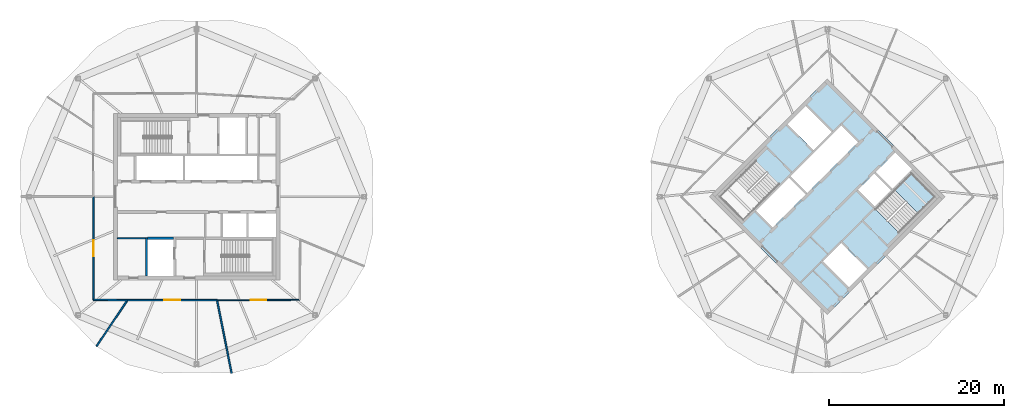
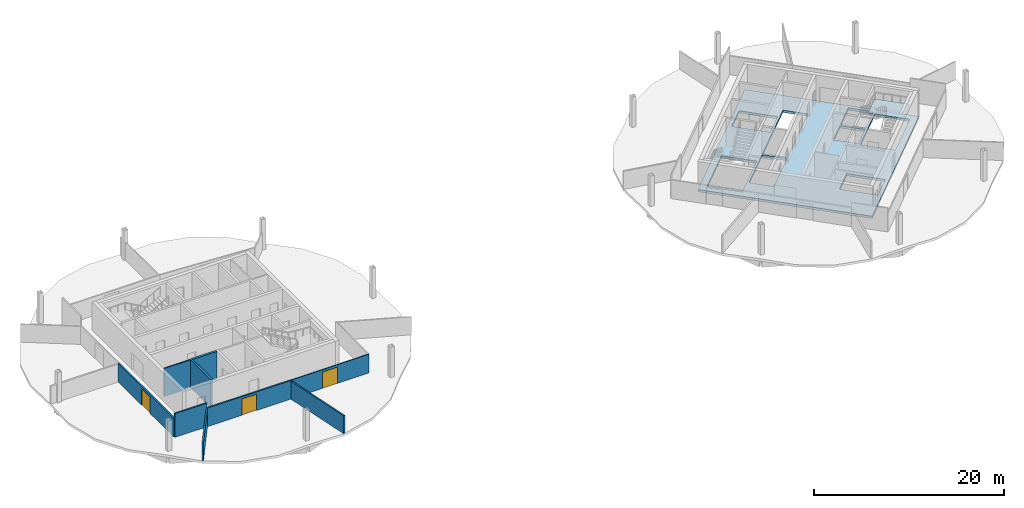
# One storey, part 4 of 10: 9 walls, 3 doors, 2 slabs, 3 openings, 1 element without a shape of its own.
"""IFC4 building model written with IfcOpenShell, lengths in metres."""

from ifc_helpers import new_model, si_unit, direction, frame, frame_2d, origin, place, context, subcontext, project, spatial, polyline, rectangle, outline, extrude, material, layer, layer_set, type_object, element, fill, aggregate, save


model = new_model("IFC4")

# Units and contexts
model_context = context("Model", 3, precision=1e-05, world=origin(), true_north=direction((0.0, 1.0)))
body_context = subcontext(model_context, "Body", "Model", "MODEL_VIEW")
ifc_project = project(units=[si_unit("LENGTHUNIT", "METRE"), si_unit("AREAUNIT", "SQUARE_METRE"), si_unit("VOLUMEUNIT", "CUBIC_METRE"), si_unit("PLANEANGLEUNIT", "RADIAN"), si_unit("MASSUNIT", "GRAM", prefix="KILO")], contexts=[model_context])

# Site, building, storey
site_placement = place(None, origin())
site = spatial("IfcSite", under=ifc_project, at=site_placement, CompositionType="ELEMENT")
building_placement = place(site_placement, origin())
building = spatial("IfcBuilding", under=site, at=building_placement, Name="Ogive Gate Towers", CompositionType="ELEMENT")
storey_placement = place(building_placement, frame((0.0, 0.0, 232.800048828125)))
storey = spatial("IfcBuildingStorey", under=building, at=storey_placement, Name="L55", CompositionType="ELEMENT", Elevation=232.800048828125)

# Slab
ifc_material_1 = material(Name="Concrete C40/50", Category="concrete")
ifc_layer_1 = layer(ifc_material_1, 0.300048828125)
ifc_layer_set_1 = layer_set([ifc_layer_1], Name="Core slab C40/50 300 mm")
slab_type_1 = type_object("IfcSlabType", Name="Core slab C40/50 300 mm", PredefinedType="FLOOR", material=ifc_layer_set_1)
slab_1_placement = place(storey_placement, frame((0.0, 0.0, -0.300048828125)))
element("IfcSlab", 1, at=slab_1_placement, inside=storey, type_object=slab_type_1, Name="T2 L55 core slab", PredefinedType="FLOOR", context=body_context, shape_type="SweptSolid", body=[
    extrude(outline(polyline([(36.0, -13.43505859375), (22.56494140625, 0.0), (36.0, 13.43505859375), (49.43505859375, 0.0), (36.0, -13.43505859375)]), holes=[polyline([(29.777587890625, -3.500244140625), (33.525146484375, 0.24755859375), (31.615966796875, 2.15673828125), (27.868408203125, -1.591064453125), (29.777587890625, -3.500244140625)]), polyline([(31.792724609375, 2.33349609375), (33.701904296875, 0.42431640625), (39.500244140625, 6.222412109375), (37.591064453125, 8.131591796875), (31.792724609375, 2.33349609375)]), polyline([(41.3740234375, 2.651611328125), (39.500244140625, 0.77783203125), (41.409423828125, -1.13134765625), (43.283203125, 0.742431640625), (41.3740234375, 2.651611328125)]), polyline([(45.669677734375, 3.12890625), (43.760498046875, 5.0380859375), (41.55078125, 2.828369140625), (43.4599609375, 0.919189453125), (45.669677734375, 3.12890625)]), polyline([(34.408935546875, 5.30322265625), (36.4951171875, 7.389404296875), (33.542724609375, 10.34130859375), (31.456787109375, 8.255615234375), (34.408935546875, 5.30322265625)]), polyline([(35.5048828125, -7.389404296875), (38.457275390625, -10.34130859375), (40.543212890625, -8.255615234375), (37.591064453125, -5.30322265625), (35.5048828125, -7.389404296875)]), polyline([(26.40087890625, -2.70458984375), (30.512939453125, 1.406982421875), (27.80810546875, 4.11181640625), (23.6962890625, 0.0), (26.40087890625, -2.70458984375)]), polyline([(48.3037109375, 0.0), (45.59912109375, 2.70458984375), (41.487060546875, -1.406982421875), (44.19189453125, -4.11181640625), (48.3037109375, 0.0)])]), origin(), (0.0, 0.0, 1.0), 0.300048828125),
])

# Stair, slab
stair_type = type_object("IfcStairType", Name="Escape stair 1840 wide", PredefinedType="HALF_TURN_STAIR", material=ifc_material_1)
stair_placement = place(storey_placement, origin())
stair = element("IfcStair", 2, at=stair_placement, inside=storey, type_object=stair_type, Name="L55 Escape stair 2", PredefinedType="HALF_TURN_STAIR")
ifc_layer_2 = layer(ifc_material_1, 0.199951171875)
ifc_layer_set_2 = layer_set([ifc_layer_2], Name="Stair landing 200 mm")
slab_type_2 = type_object("IfcSlabType", Name="Stair landing 200 mm", PredefinedType="LANDING", material=ifc_layer_set_2)
slab_2_placement = place(storey_placement, frame((0.0, 0.0, 1.75)))
slab_2 = element("IfcSlab", 3, at=slab_2_placement, type_object=slab_type_2, Name="ST2 landing 1", PredefinedType="LANDING", context=body_context, shape_type="SweptSolid", body=[
    extrude(outline(polyline([(46.3955078125, -1.908203125), (48.3037109375, 0.0), (45.598876953125, 2.70458984375), (43.690673828125, 0.79638671875), (46.3955078125, -1.908203125)])), origin(), (0.0, 0.0, 1.0), 0.199951171875),
])
aggregate(stair, [slab_2])

# Walls
ifc_material_2 = material(Name="Gypsum board acoustic partition")
ifc_layer_3 = layer(ifc_material_2, 0.175048828125)
ifc_layer_set_3 = layer_set([ifc_layer_3], Name="Acoustic partition 175")
wall_type_1 = type_object("IfcWallType", Name="Acoustic partition 175", PredefinedType="PARTITIONING", material=ifc_layer_set_3)
wall_1_placement = place(storey_placement, frame((-47.424072265625, -17.081298828125, 0.0), z_axis=(0.0, 0.0, 1.0), x_axis=(0.555948301376, 0.831216870736, 0.0)))
element("IfcWall", 4, at=wall_1_placement, inside=storey, type_object=wall_type_1, Name="Partition T1-L55-005", PredefinedType="PARTITIONING", context=body_context, shape_type="SweptSolid", body=[
    extrude(rectangle(XDim=6.271484375, YDim=0.175048828125, at=frame_2d((3.1357421875, 0.0))), origin(), (0.0, 0.0, 1.0), 2.300048828125),
])
wall_2_placement = place(storey_placement, frame((-31.99951171875, -20.156494140625, 0.0), z_axis=(0.0, 0.0, 1.0), x_axis=(-0.194666431438, 0.980869502264, 0.0)))
element("IfcWall", 5, at=wall_2_placement, inside=storey, type_object=wall_type_1, Name="Partition T1-L55-006", PredefinedType="PARTITIONING", context=body_context, shape_type="SweptSolid", body=[
    extrude(rectangle(XDim=8.421630859375, YDim=0.175048828125, at=frame_2d((4.2109375, 0.0))), origin(), (0.0, 0.0, 1.0), 2.300048828125),
])

# Wall, opening, door
wall_3_placement = place(storey_placement, frame((-43.888916015625, -11.795654296875, 0.0), z_axis=(0.0, 0.0, 1.0), x_axis=(0.999998975402, -0.001431501134, 0.0)))
wall_3 = element("IfcWall", 6, at=wall_3_placement, inside=storey, type_object=wall_type_1, Name="Partition T1-L55-008", PredefinedType="PARTITIONING", context=body_context, shape_type="SweptSolid", body=[
    extrude(rectangle(XDim=10.23291015625, YDim=0.175048828125, at=frame_2d((5.116455078125, 0.0))), origin(), (0.0, 0.0, 1.0), 2.39990234375),
])
opening_1_placement = place(wall_3_placement, frame((4.216064453125, 0.0, 0.0)))
opening_1 = element("IfcOpeningElement", 7, at=opening_1_placement, cuts=wall_3, Name="Opening T1-L55-D01", PredefinedType="OPENING", context=body_context, shape_type="SweptSolid", body=[
    extrude(rectangle(XDim=1.800048828125, YDim=2.10009765625, at=frame_2d((0.89990234375, 1.050048828125))), frame((0.0, 0.09765625, 0.0), z_axis=(0.0, -1.0, 0.0), x_axis=(1.0, 0.0, 0.0)), (0.0, 0.0, 1.0), 0.195068359375),
])
ifc_material_3 = material(Name="Timber door", Category="wood")
door_type = type_object("IfcDoorType", Name="Door pair 1800", OperationType="NOTDEFINED", PredefinedType="DOOR", material=ifc_material_3)
door_1_placement = place(opening_1_placement, origin())
door_1 = element("IfcDoor", 8, at=door_1_placement, inside=storey, type_object=door_type, Name="Door T1-L55-D01", OperationType="DOUBLE_DOOR_DOUBLE_SWING", OverallHeight=2.10009765625, OverallWidth=1.800048828125, PredefinedType="DOOR", context=body_context, shape_type="SweptSolid", body=[
    extrude(rectangle(XDim=1.800048828125, YDim=2.10009765625, at=frame_2d((0.89990234375, 1.050048828125))), frame((0.0, 0.02490234375, 0.0), z_axis=(0.0, -1.0, 0.0), x_axis=(1.0, 0.0, 0.0)), (0.0, 0.0, 1.0), 0.050048828125),
])
fill(opening_1, door_1)

wall_4_placement = place(storey_placement, frame((-47.7900390625, 0.0, 0.0), z_axis=(0.0, 0.0, 1.0), x_axis=(0.000849723015, -0.999999638985, 0.0)))
wall_4 = element("IfcWall", 9, at=wall_4_placement, inside=storey, type_object=wall_type_1, Name="Partition T1-L55-015", PredefinedType="PARTITIONING", context=body_context, shape_type="SweptSolid", body=[
    extrude(rectangle(XDim=11.780029296875, YDim=0.175048828125, at=frame_2d((5.89013671875, 0.0))), origin(), (0.0, 0.0, 1.0), 2.39990234375),
])
opening_2_placement = place(wall_4_placement, frame((4.989990234375, 0.0, 0.0)))
opening_2 = element("IfcOpeningElement", 10, at=opening_2_placement, cuts=wall_4, Name="Opening T1-L55-D06", PredefinedType="OPENING", context=body_context, shape_type="SweptSolid", body=[
    extrude(rectangle(XDim=1.800048828125, YDim=2.10009765625, at=frame_2d((0.89990234375, 1.050048828125))), frame((0.0, 0.09765625, 0.0), z_axis=(0.0, -1.0, 0.0), x_axis=(1.0, 0.0, 0.0)), (0.0, 0.0, 1.0), 0.195068359375),
])
door_2_placement = place(opening_2_placement, origin())
door_2 = element("IfcDoor", 11, at=door_2_placement, inside=storey, type_object=door_type, Name="Door T1-L55-D06", OperationType="DOUBLE_DOOR_DOUBLE_SWING", OverallHeight=2.10009765625, OverallWidth=1.800048828125, PredefinedType="DOOR", context=body_context, shape_type="SweptSolid", body=[
    extrude(rectangle(XDim=1.800048828125, YDim=2.10009765625, at=frame_2d((0.89990234375, 1.050048828125))), frame((0.0, 0.02490234375, 0.0), z_axis=(0.0, -1.0, 0.0), x_axis=(1.0, 0.0, 0.0)), (0.0, 0.0, 1.0), 0.050048828125),
])
fill(opening_2, door_2)

# Wall
wall_5_placement = place(storey_placement, frame((-47.780029296875, -11.780029296875, 0.0), z_axis=(0.0, 0.0, 1.0), x_axis=(0.999991937735, -0.004015527922, 0.0)))
element("IfcWall", 12, at=wall_5_placement, inside=storey, type_object=wall_type_1, Name="Partition T1-L55-016", PredefinedType="PARTITIONING", context=body_context, shape_type="SweptSolid", body=[
    extrude(rectangle(XDim=3.89111328125, YDim=0.175048828125, at=frame_2d((1.945556640625, 0.0))), origin(), (0.0, 0.0, 1.0), 3.050048828125),
])

# Wall, opening, door
ifc_material_4 = material(Name="Gypsum board partition")
ifc_layer_4 = layer(ifc_material_4, 0.125)
ifc_layer_set_4 = layer_set([ifc_layer_4], Name="Partition 125")
wall_type_2 = type_object("IfcWallType", Name="Partition 125", PredefinedType="PARTITIONING", material=ifc_layer_set_4)
wall_6_placement = place(storey_placement, frame((-33.656005859375, -11.810302734375, 0.0), z_axis=(0.0, 0.0, 1.0), x_axis=(0.999994853511, 0.003208262919, 0.0)))
wall_6 = element("IfcWall", 13, at=wall_6_placement, inside=storey, type_object=wall_type_2, Name="Partition T1-L55-009", PredefinedType="PARTITIONING", context=body_context, shape_type="SweptSolid", body=[
    extrude(rectangle(XDim=9.43603515625, YDim=0.125, at=frame_2d((4.718017578125, 0.0))), origin(), (0.0, 0.0, 1.0), 2.39990234375),
])
opening_3_placement = place(wall_6_placement, frame((3.818115234375, 0.0, 0.0)))
opening_3 = element("IfcOpeningElement", 14, at=opening_3_placement, cuts=wall_6, Name="Opening T1-L55-D02", PredefinedType="OPENING", context=body_context, shape_type="SweptSolid", body=[
    extrude(rectangle(XDim=1.800048828125, YDim=2.10009765625, at=frame_2d((0.89990234375, 1.050048828125))), frame((0.0, 0.072509765625, 0.0), z_axis=(0.0, -1.0, 0.0), x_axis=(1.0, 0.0, 0.0)), (0.0, 0.0, 1.0), 0.14501953125),
])
door_3_placement = place(opening_3_placement, origin())
door_3 = element("IfcDoor", 15, at=door_3_placement, inside=storey, type_object=door_type, Name="Door T1-L55-D02", OperationType="DOUBLE_DOOR_DOUBLE_SWING", OverallHeight=2.10009765625, OverallWidth=1.800048828125, PredefinedType="DOOR", context=body_context, shape_type="SweptSolid", body=[
    extrude(rectangle(XDim=1.800048828125, YDim=2.10009765625, at=frame_2d((0.89990234375, 1.050048828125))), frame((0.0, 0.02490234375, 0.0), z_axis=(0.0, -1.0, 0.0), x_axis=(1.0, 0.0, 0.0)), (0.0, 0.0, 1.0), 0.050048828125),
])
fill(opening_3, door_3)

# Walls
ifc_layer_5 = layer(ifc_material_4, 0.14990234375)
ifc_layer_set_5 = layer_set([ifc_layer_5], Name="Room partition 150 mm")
wall_type_3 = type_object("IfcWallType", Name="Room partition 150 mm", PredefinedType="PARTITIONING", material=ifc_layer_set_5)
wall_7_placement = place(storey_placement, frame((-45.050048828125, -4.75, 0.0), z_axis=(0.0, 0.0, 1.0), x_axis=(1.0, 0.0, 0.0)))
element("IfcWall", 16, at=wall_7_placement, inside=storey, type_object=wall_type_3, Name="T1 L55 Room partition 150 mm", PredefinedType="PARTITIONING", context=body_context, shape_type="SweptSolid", body=[
    extrude(rectangle(XDim=3.22509765625, YDim=0.14990234375, at=frame_2d((1.612548828125, 0.0))), origin(), (0.0, 0.0, 1.0), 3.599853515625),
])
ifc_material_5 = material(Name="Concrete C60/75", Category="concrete")
ifc_layer_6 = layer(ifc_material_5, 0.25)
ifc_layer_set_6 = layer_set([ifc_layer_6], Name="Shaft wall 250 mm")
wall_type_4 = type_object("IfcWallType", Name="Shaft wall 250 mm", PredefinedType="SHEAR", material=ifc_layer_set_6)
wall_8_placement = place(storey_placement, frame((-41.574951171875, -4.75, 0.0), z_axis=(0.0, 0.0, 1.0), x_axis=(1.0, 0.0, 0.0)))
element("IfcWall", 17, at=wall_8_placement, inside=storey, type_object=wall_type_4, Name="T1 L55 Shaft wall 250 mm", PredefinedType="SHEAR", context=body_context, shape_type="SweptSolid", body=[
    extrude(rectangle(XDim=2.949951171875, YDim=0.25, at=frame_2d((1.47509765625, 0.0))), origin(), (0.0, 0.0, 1.0), 3.599853515625),
])
wall_9_placement = place(storey_placement, frame((-41.699951171875, -9.050048828125, 0.0), z_axis=(0.0, 0.0, 1.0), x_axis=(0.0, 1.0, 0.0)))
element("IfcWall", 18, at=wall_9_placement, inside=storey, type_object=wall_type_4, Name="T1 L55 Shaft wall 250 mm", PredefinedType="SHEAR", context=body_context, shape_type="SweptSolid", body=[
    extrude(rectangle(XDim=4.375, YDim=0.25, at=frame_2d((2.1875, 0.0))), origin(), (0.0, 0.0, 1.0), 3.599853515625),
])

save(model, "model.ifc")
